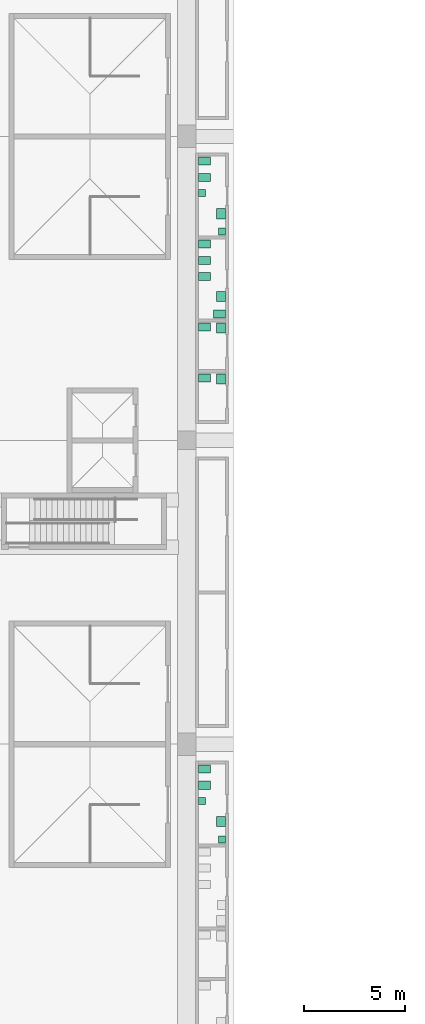
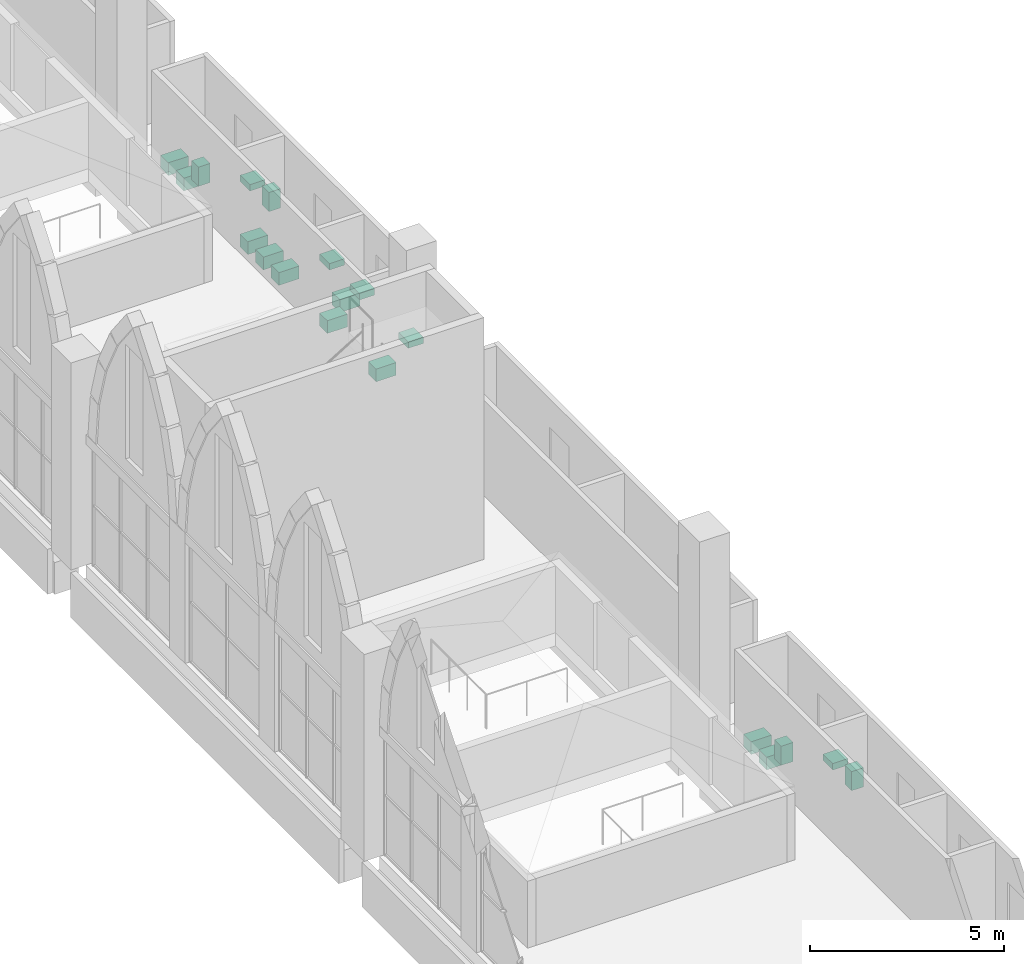
# One storey, part 126 of 130: 19 sanitary terminals.
"""IFC4 building model written with IfcOpenShell, lengths in metres."""

from ifc_helpers import new_model, si_unit, direction, frame, origin, origin_2d, place, context, subcontext, project, spatial, rectangle, extrude, material, type_object, element, save


model = new_model("IFC4")

# Units and contexts
model_context = context("Model", 3, precision=1e-05, world=origin(), true_north=direction((0.0, 1.0)))
body_context = subcontext(model_context, "Body", "Model", "MODEL_VIEW")
ifc_project = project(units=[si_unit("LENGTHUNIT", "METRE"), si_unit("AREAUNIT", "SQUARE_METRE"), si_unit("VOLUMEUNIT", "CUBIC_METRE"), si_unit("PLANEANGLEUNIT", "RADIAN"), si_unit("MASSUNIT", "GRAM", prefix="KILO")], contexts=[model_context])

# Site, building, storey
site_placement = place(None, origin())
site = spatial("IfcSite", under=ifc_project, at=site_placement, CompositionType="ELEMENT")
building_placement = place(site_placement, origin())
building = spatial("IfcBuilding", under=site, at=building_placement, Name="Ogive Plaza Stadium", CompositionType="ELEMENT")
storey_placement = place(building_placement, frame((0.0, 0.0, 22.5)))
storey = spatial("IfcBuildingStorey", under=building, at=storey_placement, Name="L05", CompositionType="ELEMENT", Elevation=22.5)

# Sanitary terminals
ifc_material_1 = material(Name="Vitreous china", Category="ceramic")
sanitary_terminal_type_1 = type_object("IfcSanitaryTerminalType", Name="Lavatory", PredefinedType="WASHHANDBASIN", material=ifc_material_1)
for number, where, z_axis, x_axis, name in (
    (1, (-72.300048828125, -11.31689453125, 0.7998046875), (0.0, 0.0, 1.0), (0.0, 1.0, 0.0), "Lavatory L05-067"),
    (2, (-72.300048828125, 18.68310546875, 0.7998046875), (0.0, 0.0, 1.0), (0.0, 1.0, 0.0), "Lavatory L05-073"),
    (3, (-72.300048828125, 14.591064453125, 0.7998046875), (0.0, 0.0, 1.0), (0.0, 1.0, 0.0), "Lavatory L05-074"),
    (4, (-72.300048828125, 13.041015625, 0.7998046875), (0.0, 0.0, 1.0), (0.0, -1.0, 0.0), "Lavatory L05-075"),
    (5, (-72.300048828125, 10.532958984375, 0.7998046875), (0.0, 0.0, 1.0), (0.0, -1.0, 0.0), "Lavatory L05-076"),
):
    element("IfcSanitaryTerminal", number, at=place(storey_placement, frame(where, z_axis=z_axis, x_axis=x_axis)), inside=storey, type_object=sanitary_terminal_type_1, Name=name, PredefinedType="WASHHANDBASIN", context=body_context, shape_type="SweptSolid", body=[
        extrude(rectangle(XDim=0.5, YDim=0.449951171875, at=origin_2d()), origin(), (0.0, 0.0, 1.0), 0.199951171875),
    ])
ifc_material_2 = material(Name="Vitreous china", Category="ceramic")
sanitary_terminal_type_2 = type_object("IfcSanitaryTerminalType", Name="Urinal", PredefinedType="URINAL", material=ifc_material_2)
for number, where, z_axis, x_axis, name in (
    (6, (-73.25, -10.300048828125, 0.599853515625), (0.0, 0.0, 1.0), (0.0, -1.0, 0.0), "Urinal L05-067"),
    (7, (-72.25, -12.19189453125, 0.599853515625), (0.0, 0.0, 1.0), (0.0, 1.0, 0.0), "Urinal L05-067"),
    (8, (-73.25, 19.699951171875, 0.599853515625), (0.0, 0.0, 1.0), (0.0, -1.0, 0.0), "Urinal L05-073"),
    (9, (-72.25, 17.80810546875, 0.599853515625), (0.0, 0.0, 1.0), (0.0, 1.0, 0.0), "Urinal L05-073"),
):
    element("IfcSanitaryTerminal", number, at=place(storey_placement, frame(where, z_axis=z_axis, x_axis=x_axis)), inside=storey, type_object=sanitary_terminal_type_2, Name=name, PredefinedType="URINAL", context=body_context, shape_type="SweptSolid", body=[
        extrude(rectangle(XDim=0.35009765625, YDim=0.35009765625, at=origin_2d()), origin(), (0.0, 0.0, 1.0), 0.60009765625),
    ])
ifc_material_3 = material(Name="Vitreous china", Category="ceramic")
sanitary_terminal_type_3 = type_object("IfcSanitaryTerminalType", Name="Water closet", PredefinedType="TOILETPAN", material=ifc_material_3)
for number, where, z_axis, x_axis, name in (
    (10, (-73.125, -8.72509765625, 0.0), (0.0, 0.0, 1.0), (0.0, -1.0, 0.0), "Water closet L05-067"),
    (11, (-73.125, -9.52490234375, 0.0), (0.0, 0.0, 1.0), (0.0, -1.0, 0.0), "Water closet L05-067"),
    (12, (-73.125, 21.27490234375, 0.0), (0.0, 0.0, 1.0), (0.0, -1.0, 0.0), "Water closet L05-073"),
    (13, (-73.125, 20.47509765625, 0.0), (0.0, 0.0, 1.0), (0.0, -1.0, 0.0), "Water closet L05-073"),
    (14, (-73.125, 17.18310546875, 0.0), (0.0, 0.0, 1.0), (0.0, -1.0, 0.0), "Water closet L05-074"),
    (15, (-73.125, 16.383056640625, 0.0), (0.0, 0.0, 1.0), (0.0, -1.0, 0.0), "Water closet L05-074"),
    (16, (-73.125, 15.5830078125, 0.0), (0.0, 0.0, 1.0), (0.0, -1.0, 0.0), "Water closet L05-074"),
    (17, (-72.375, 13.740966796875, 0.0), (0.0, 0.0, 1.0), (0.0, 1.0, 0.0), "Water closet L05-074"),
    (18, (-73.125, 13.091064453125, 0.0), (0.0, 0.0, 1.0), (0.0, -1.0, 0.0), "Water closet L05-075"),
    (19, (-73.125, 10.5830078125, 0.0), (0.0, 0.0, 1.0), (0.0, -1.0, 0.0), "Water closet L05-076"),
):
    element("IfcSanitaryTerminal", number, at=place(storey_placement, frame(where, z_axis=z_axis, x_axis=x_axis)), inside=storey, type_object=sanitary_terminal_type_3, Name=name, PredefinedType="TOILETPAN", context=body_context, shape_type="SweptSolid", body=[
        extrude(rectangle(XDim=0.39990234375, YDim=0.60009765625, at=origin_2d()), origin(), (0.0, 0.0, 1.0), 0.39990234375),
    ])

save(model, "model.ifc")
